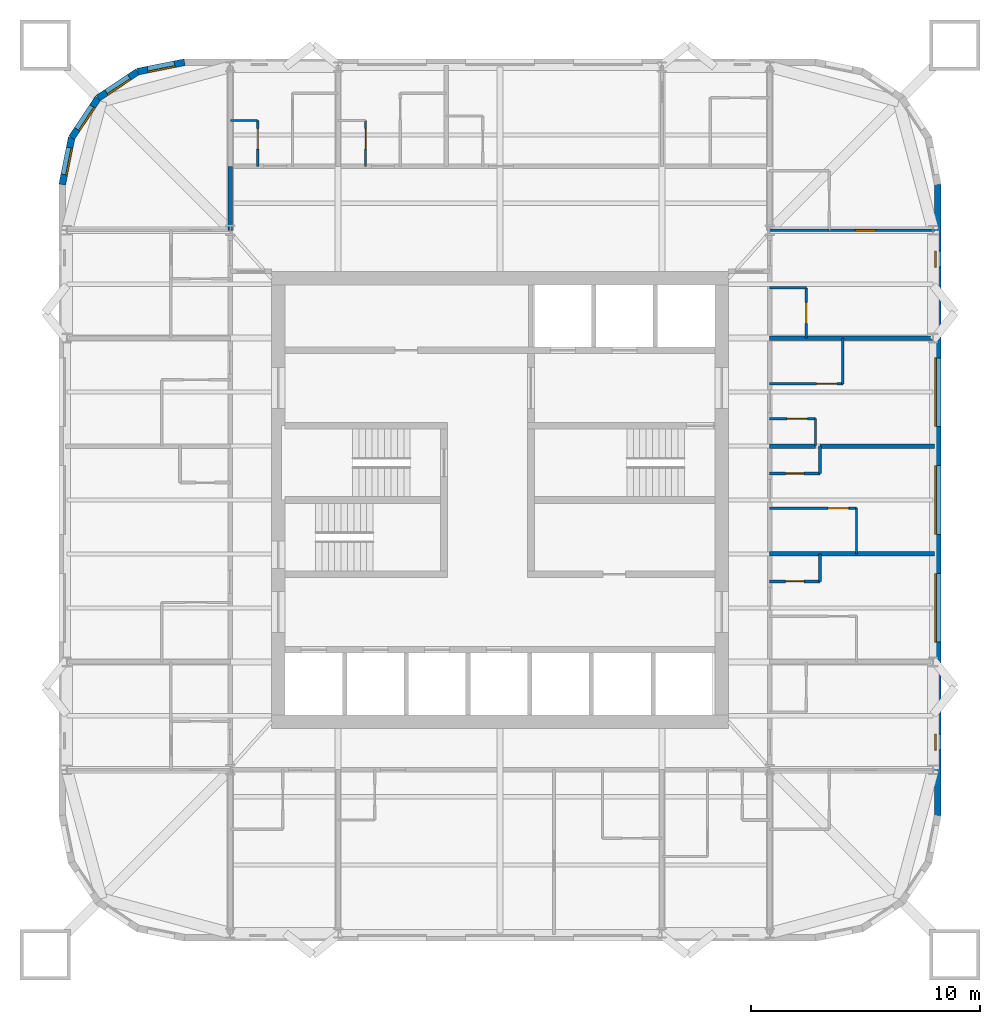
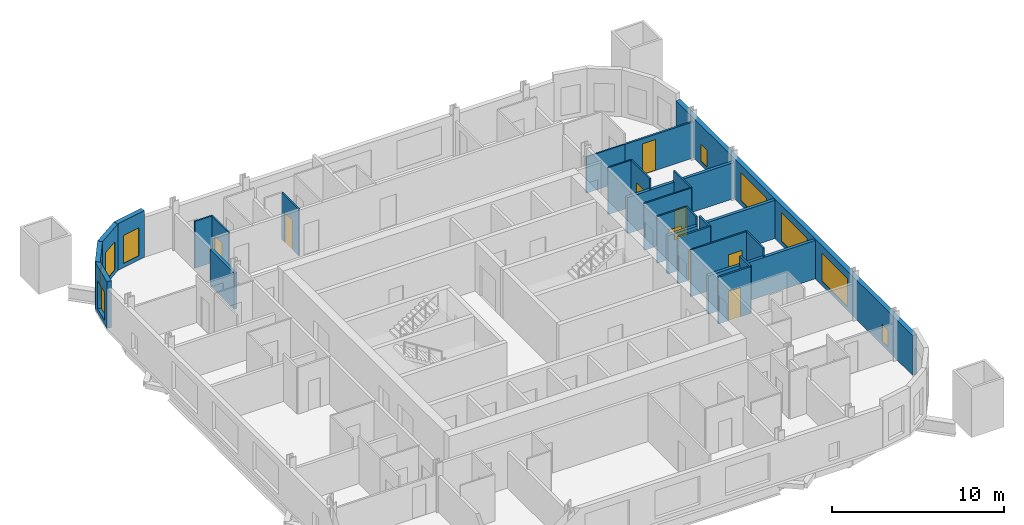
# One storey, part 6 of 9: 27 walls, 9 doors, 9 windows, 18 openings.
"""IFC4 building model written with IfcOpenShell, lengths in metres."""

from ifc_helpers import new_model, si_unit, direction, frame, frame_2d, origin, place, context, subcontext, project, spatial, rectangle, extrude, material, layer, layer_set, type_object, element, fill, save


model = new_model("IFC4")

# Units and contexts
model_context = context("Model", 3, precision=1e-05, world=origin(), true_north=direction((0.0, 1.0)))
body_context = subcontext(model_context, "Body", "Model", "MODEL_VIEW")
ifc_project = project(units=[si_unit("LENGTHUNIT", "METRE"), si_unit("AREAUNIT", "SQUARE_METRE"), si_unit("VOLUMEUNIT", "CUBIC_METRE"), si_unit("PLANEANGLEUNIT", "RADIAN"), si_unit("MASSUNIT", "GRAM", prefix="KILO")], contexts=[model_context])

# Site, building, storey
site_placement = place(None, origin())
site = spatial("IfcSite", under=ifc_project, at=site_placement, CompositionType="ELEMENT")
building_placement = place(site_placement, origin())
building = spatial("IfcBuilding", under=site, at=building_placement, Name="Turquesa Mirador Hotel Tower", CompositionType="ELEMENT")
storey_placement = place(building_placement, frame((0.0, 0.0, 203.800048828125)))
storey = spatial("IfcBuildingStorey", under=building, at=storey_placement, Name="L55", CompositionType="ELEMENT", Elevation=203.800048828125)

# Wall, opening, door
ifc_material_1 = material(Name="Gypsum board on steel studs", Category="steel")
ifc_layer_1 = layer(ifc_material_1, 0.10009765625)
ifc_layer_set_1 = layer_set([ifc_layer_1], Name="BATHROOM WALL 100")
wall_type_1 = type_object("IfcWallType", Name="BATHROOM WALL 100", PredefinedType="PARTITIONING", material=ifc_layer_set_1)
wall_1_placement = place(storey_placement, frame((66.800048828125, 44.639892578125, 0.0), z_axis=(0.0, 0.0, 1.0), x_axis=(1.0, 0.0, 0.0)))
wall_1 = element("IfcWall", 1, at=wall_1_placement, inside=storey, type_object=wall_type_1, Name="Partition L55 001", PredefinedType="PARTITIONING", context=body_context, shape_type="SweptSolid", body=[
    extrude(rectangle(XDim=3.800048828125, YDim=0.10009765625, at=frame_2d((1.89990234375, 0.0))), origin(), (0.0, 0.0, 1.0), 3.329833984375),
])
opening_1_placement = place(wall_1_placement, frame((2.550048828125, 0.0, 0.0)))
opening_1 = element("IfcOpeningElement", 2, at=opening_1_placement, cuts=wall_1, Name="Opening D02", PredefinedType="OPENING", context=body_context, shape_type="SweptSolid", body=[
    extrude(rectangle(XDim=0.89990234375, YDim=2.10009765625, at=frame_2d((0.449951171875, 1.050048828125))), frame((0.0, 0.06005859375, 0.0), z_axis=(0.0, -1.0, 0.0), x_axis=(1.0, 0.0, 0.0)), (0.0, 0.0, 1.0), 0.1201171875),
])
ifc_material_2 = material(Name="Timber veneered door", Category="wood")
door_type_1 = type_object("IfcDoorType", Name="DOOR 900X2100 EN-SUITE", OperationType="SINGLE_SWING_RIGHT", PredefinedType="DOOR", material=ifc_material_2)
door_1_placement = place(opening_1_placement, origin())
door_1 = element("IfcDoor", 3, at=door_1_placement, inside=storey, type_object=door_type_1, Name="Door 5508B", OperationType="SINGLE_SWING_RIGHT", OverallHeight=2.10009765625, OverallWidth=0.89990234375, PredefinedType="DOOR", context=body_context, shape_type="SweptSolid", body=[
    extrude(rectangle(XDim=0.89990234375, YDim=2.10009765625, at=frame_2d((0.449951171875, 1.050048828125))), frame((0.0, 0.02490234375, 0.0), z_axis=(0.0, -1.0, 0.0), x_axis=(1.0, 0.0, 0.0)), (0.0, 0.0, 1.0), 0.050048828125),
])
fill(opening_1, door_1)

# Walls
wall_2_placement = place(storey_placement, frame((66.800048828125, 56.800048828125, 0.0), z_axis=(0.0, 0.0, 1.0), x_axis=(1.0, 0.0, 0.0)))
element("IfcWall", 4, at=wall_2_placement, inside=storey, type_object=wall_type_1, Name="Partition L55 024", PredefinedType="PARTITIONING", context=body_context, shape_type="SweptSolid", body=[
    extrude(rectangle(XDim=2.599853515625, YDim=0.10009765625, at=frame_2d((1.2998046875, 0.0))), origin(), (0.0, 0.0, 1.0), 2.572998046875),
])
wall_3_placement = place(storey_placement, frame((43.199951171875, 61.60009765625, 0.0), z_axis=(0.0, 0.0, 1.0), x_axis=(1.0, 0.0, 0.0)))
element("IfcWall", 5, at=wall_3_placement, inside=storey, type_object=wall_type_1, Name="Partition L55 029", PredefinedType="PARTITIONING", context=body_context, shape_type="SweptSolid", body=[
    extrude(rectangle(XDim=1.199951171875, YDim=0.10009765625, at=frame_2d((0.60009765625, 0.0))), origin(), (0.0, 0.0, 1.0), 3.329833984375),
])

# Wall, opening, door
wall_4_placement = place(storey_placement, frame((66.800048828125, 48.56005859375, 0.0), z_axis=(0.0, 0.0, 1.0), x_axis=(1.0, 0.0, 0.0)))
wall_4 = element("IfcWall", 6, at=wall_4_placement, inside=storey, type_object=wall_type_1, Name="Partition L55 038", PredefinedType="PARTITIONING", context=body_context, shape_type="SweptSolid", body=[
    extrude(rectangle(XDim=2.0, YDim=0.10009765625, at=frame_2d((1.0, 0.0))), origin(), (0.0, 0.0, 1.0), 3.329833984375),
])
opening_2_placement = place(wall_4_placement, frame((0.75, 0.0, 0.0)))
opening_2 = element("IfcOpeningElement", 7, at=opening_2_placement, cuts=wall_4, Name="Opening D06", PredefinedType="OPENING", context=body_context, shape_type="SweptSolid", body=[
    extrude(rectangle(XDim=0.89990234375, YDim=2.10009765625, at=frame_2d((0.449951171875, 1.050048828125))), frame((0.0, 0.06005859375, 0.0), z_axis=(0.0, -1.0, 0.0), x_axis=(1.0, 0.0, 0.0)), (0.0, 0.0, 1.0), 0.1201171875),
])
ifc_material_3 = material(Name="Laminate door", Category="wood")
door_type_2 = type_object("IfcDoorType", Name="DOOR 900X2100 WC", OperationType="SINGLE_SWING_LEFT", PredefinedType="DOOR", material=ifc_material_3)
door_2_placement = place(opening_2_placement, origin())
door_2 = element("IfcDoor", 8, at=door_2_placement, inside=storey, type_object=door_type_2, Name="Door 5509W", OperationType="SINGLE_SWING_LEFT", OverallHeight=2.10009765625, OverallWidth=0.89990234375, PredefinedType="DOOR", context=body_context, shape_type="SweptSolid", body=[
    extrude(rectangle(XDim=0.89990234375, YDim=2.10009765625, at=frame_2d((0.449951171875, 1.050048828125))), frame((0.0, 0.02490234375, 0.0), z_axis=(0.0, -1.0, 0.0), x_axis=(1.0, 0.0, 0.0)), (0.0, 0.0, 1.0), 0.050048828125),
])
fill(opening_2, door_2)

wall_5_placement = place(storey_placement, frame((66.800048828125, 50.080078125, 0.0), z_axis=(0.0, 0.0, 1.0), x_axis=(1.0, 0.0, 0.0)))
wall_5 = element("IfcWall", 9, at=wall_5_placement, inside=storey, type_object=wall_type_1, Name="Partition L55 039", PredefinedType="PARTITIONING", context=body_context, shape_type="SweptSolid", body=[
    extrude(rectangle(XDim=3.199951171875, YDim=0.10009765625, at=frame_2d((1.60009765625, 0.0))), origin(), (0.0, 0.0, 1.0), 3.329833984375),
])
opening_3_placement = place(wall_5_placement, frame((2.050048828125, 0.0, 0.0)))
opening_3 = element("IfcOpeningElement", 10, at=opening_3_placement, cuts=wall_5, Name="Opening D02", PredefinedType="OPENING", context=body_context, shape_type="SweptSolid", body=[
    extrude(rectangle(XDim=0.89990234375, YDim=2.10009765625, at=frame_2d((0.449951171875, 1.050048828125))), frame((0.0, 0.06005859375, 0.0), z_axis=(0.0, -1.0, 0.0), x_axis=(1.0, 0.0, 0.0)), (0.0, 0.0, 1.0), 0.1201171875),
])
door_3_placement = place(opening_3_placement, origin())
door_3 = element("IfcDoor", 11, at=door_3_placement, inside=storey, type_object=door_type_1, Name="Door 5509B", OperationType="SINGLE_SWING_RIGHT", OverallHeight=2.10009765625, OverallWidth=0.89990234375, PredefinedType="DOOR", context=body_context, shape_type="SweptSolid", body=[
    extrude(rectangle(XDim=0.89990234375, YDim=2.10009765625, at=frame_2d((0.449951171875, 1.050048828125))), frame((0.0, 0.02490234375, 0.0), z_axis=(0.0, -1.0, 0.0), x_axis=(1.0, 0.0, 0.0)), (0.0, 0.0, 1.0), 0.050048828125),
])
fill(opening_3, door_3)

# Wall
wall_6_placement = place(storey_placement, frame((66.800048828125, 54.280029296875, 0.0), z_axis=(0.0, 0.0, 1.0), x_axis=(1.0, 0.0, 0.0)))
element("IfcWall", 12, at=wall_6_placement, inside=storey, type_object=wall_type_1, Name="Partition L55 043", PredefinedType="PARTITIONING", context=body_context, shape_type="SweptSolid", body=[
    extrude(rectangle(XDim=1.599853515625, YDim=0.10009765625, at=frame_2d((0.7998046875, 0.0))), origin(), (0.0, 0.0, 1.0), 3.329833984375),
])

# Wall, opening, door
wall_7_placement = place(storey_placement, frame((44.39990234375, 59.60009765625, 0.0), z_axis=(0.0, 0.0, 1.0), x_axis=(0.0, 1.0, 0.0)))
wall_7 = element("IfcWall", 13, at=wall_7_placement, inside=storey, type_object=wall_type_1, Name="Partition L55 046", PredefinedType="PARTITIONING", context=body_context, shape_type="SweptSolid", body=[
    extrude(rectangle(XDim=2.0, YDim=0.10009765625, at=frame_2d((1.0, 0.0))), origin(), (0.0, 0.0, 1.0), 3.329833984375),
])
opening_4_placement = place(wall_7_placement, frame((0.75, 0.0, 0.0)))
opening_4 = element("IfcOpeningElement", 14, at=opening_4_placement, cuts=wall_7, Name="Opening D06", PredefinedType="OPENING", context=body_context, shape_type="SweptSolid", body=[
    extrude(rectangle(XDim=0.89990234375, YDim=2.10009765625, at=frame_2d((0.449951171875, 1.050048828125))), frame((0.0, 0.06005859375, 0.0), z_axis=(0.0, -1.0, 0.0), x_axis=(1.0, 0.0, 0.0)), (0.0, 0.0, 1.0), 0.1201171875),
])
door_4_placement = place(opening_4_placement, origin())
door_4 = element("IfcDoor", 15, at=door_4_placement, inside=storey, type_object=door_type_2, Name="Door 5501W", OperationType="SINGLE_SWING_LEFT", OverallHeight=2.10009765625, OverallWidth=0.89990234375, PredefinedType="DOOR", context=body_context, shape_type="SweptSolid", body=[
    extrude(rectangle(XDim=0.89990234375, YDim=2.10009765625, at=frame_2d((0.449951171875, 1.050048828125))), frame((0.0, 0.02490234375, 0.0), z_axis=(0.0, -1.0, 0.0), x_axis=(1.0, 0.0, 0.0)), (0.0, 0.0, 1.0), 0.050048828125),
])
fill(opening_4, door_4)

wall_8_placement = place(storey_placement, frame((49.1201171875, 59.60009765625, 0.0), z_axis=(0.0, 0.0, 1.0), x_axis=(0.0, 1.0, 0.0)))
wall_8 = element("IfcWall", 16, at=wall_8_placement, inside=storey, type_object=wall_type_1, Name="Partition L55 060", PredefinedType="PARTITIONING", context=body_context, shape_type="SweptSolid", body=[
    extrude(rectangle(XDim=2.0, YDim=0.10009765625, at=frame_2d((1.0, 0.0))), origin(), (0.0, 0.0, 1.0), 3.329833984375),
])
opening_5_placement = place(wall_8_placement, frame((0.75, 0.0, 0.0)))
opening_5 = element("IfcOpeningElement", 17, at=opening_5_placement, cuts=wall_8, Name="Opening D06", PredefinedType="OPENING", context=body_context, shape_type="SweptSolid", body=[
    extrude(rectangle(XDim=0.89990234375, YDim=2.10009765625, at=frame_2d((0.449951171875, 1.050048828125))), frame((0.0, 0.06005859375, 0.0), z_axis=(0.0, -1.0, 0.0), x_axis=(1.0, 0.0, 0.0)), (0.0, 0.0, 1.0), 0.1201171875),
])
door_5_placement = place(opening_5_placement, origin())
door_5 = element("IfcDoor", 18, at=door_5_placement, inside=storey, type_object=door_type_2, Name="Door 5502W", OperationType="SINGLE_SWING_LEFT", OverallHeight=2.10009765625, OverallWidth=0.89990234375, PredefinedType="DOOR", context=body_context, shape_type="SweptSolid", body=[
    extrude(rectangle(XDim=0.89990234375, YDim=2.10009765625, at=frame_2d((0.449951171875, 1.050048828125))), frame((0.0, 0.02490234375, 0.0), z_axis=(0.0, -1.0, 0.0), x_axis=(1.0, 0.0, 0.0)), (0.0, 0.0, 1.0), 0.050048828125),
])
fill(opening_5, door_5)

wall_9_placement = place(storey_placement, frame((68.39990234375, 52.080078125, 0.0), z_axis=(0.0, 0.0, 1.0), x_axis=(0.0, 1.0, 0.0)))
wall_9 = element("IfcWall", 19, at=wall_9_placement, inside=storey, type_object=wall_type_1, Name="Partition L55 070", PredefinedType="PARTITIONING", context=body_context, shape_type="SweptSolid", body=[
    extrude(rectangle(XDim=2.199951171875, YDim=0.10009765625, at=frame_2d((1.10009765625, 0.0))), origin(), (0.0, 0.0, 1.0), 3.329833984375),
])
opening_6_placement = place(wall_9_placement, frame((0.64990234375, 0.0, 0.0)))
opening_6 = element("IfcOpeningElement", 20, at=opening_6_placement, cuts=wall_9, Name="Opening D06", PredefinedType="OPENING", context=body_context, shape_type="SweptSolid", body=[
    extrude(rectangle(XDim=0.89990234375, YDim=2.10009765625, at=frame_2d((0.449951171875, 1.050048828125))), frame((0.0, 0.06005859375, 0.0), z_axis=(0.0, -1.0, 0.0), x_axis=(1.0, 0.0, 0.0)), (0.0, 0.0, 1.0), 0.1201171875),
])
door_6_placement = place(opening_6_placement, origin())
door_6 = element("IfcDoor", 21, at=door_6_placement, inside=storey, type_object=door_type_2, Name="Door 5512W", OperationType="SINGLE_SWING_LEFT", OverallHeight=2.10009765625, OverallWidth=0.89990234375, PredefinedType="DOOR", context=body_context, shape_type="SweptSolid", body=[
    extrude(rectangle(XDim=0.89990234375, YDim=2.10009765625, at=frame_2d((0.449951171875, 1.050048828125))), frame((0.0, 0.02490234375, 0.0), z_axis=(0.0, -1.0, 0.0), x_axis=(1.0, 0.0, 0.0)), (0.0, 0.0, 1.0), 0.050048828125),
])
fill(opening_6, door_6)

# Walls
wall_10_placement = place(storey_placement, frame((68.800048828125, 47.360107421875, 0.0), z_axis=(0.0, 0.0, 1.0), x_axis=(0.0, 1.0, 0.0)))
element("IfcWall", 22, at=wall_10_placement, inside=storey, type_object=wall_type_1, Name="Partition L55 071", PredefinedType="PARTITIONING", context=body_context, shape_type="SweptSolid", body=[
    extrude(rectangle(XDim=1.199951171875, YDim=0.10009765625, at=frame_2d((0.60009765625, 0.0))), origin(), (0.0, 0.0, 1.0), 3.329833984375),
])
for number, where, z_axis, x_axis, name in (
    (23, (70.0, 50.080078125, 0.0), (0.0, 0.0, 1.0), (0.0, 1.0, 0.0), "Partition L55 076"),
    (24, (70.60009765625, 42.639892578125, 0.0), (0.0, 0.0, 1.0), (0.0, 1.0, 0.0), "Partition L55 078"),
):
    element("IfcWall", number, at=place(storey_placement, frame(where, z_axis=z_axis, x_axis=x_axis)), inside=storey, type_object=wall_type_1, Name=name, PredefinedType="PARTITIONING", context=body_context, shape_type="SweptSolid", body=[
        extrude(rectangle(XDim=2.0, YDim=0.10009765625, at=frame_2d((1.0, 0.0))), origin(), (0.0, 0.0, 1.0), 3.329833984375),
    ])
ifc_material_4 = material(Name="Fire-rated gypsum board on steel studs", Category="steel")
ifc_layer_2 = layer(ifc_material_4, 0.199951171875)
ifc_layer_set_2 = layer_set([ifc_layer_2], Name="CORRIDOR WALL 200")
wall_type_2 = type_object("IfcWallType", Name="CORRIDOR WALL 200", PredefinedType="PARTITIONING", material=ifc_layer_set_2)
wall_11_placement = place(storey_placement, frame((43.199951171875, 56.780029296875, 0.0), z_axis=(0.0, 0.0, 1.0), x_axis=(0.0, 1.0, 0.0)))
element("IfcWall", 25, at=wall_11_placement, inside=storey, type_object=wall_type_2, Name="Partition L55 085", PredefinedType="PARTITIONING", context=body_context, shape_type="SweptSolid", body=[
    extrude(rectangle(XDim=2.820068359375, YDim=0.199951171875, at=frame_2d((1.41015625, 0.0))), origin(), (0.0, 0.0, 1.0), 2.572998046875),
])

# Wall, openings, windows
ifc_material_5 = material(Name="Limestone cladding on concrete block", Category="masonry")
ifc_layer_3 = layer(ifc_material_5, 0.300048828125)
ifc_layer_set_3 = layer_set([ifc_layer_3], Name="FACADE WALL 300 STONE SCREEN")
wall_type_3 = type_object("IfcWallType", Name="FACADE WALL 300 STONE SCREEN", PredefinedType="SOLIDWALL", material=ifc_layer_set_3)
wall_12_placement = place(storey_placement, frame((74.14990234375, 31.199951171875, 0.0), z_axis=(0.0, 0.0, 1.0), x_axis=(0.0, 1.0, 0.0)))
wall_12 = element("IfcWall", 26, at=wall_12_placement, inside=storey, type_object=wall_type_3, Name="Facade wall L55 04", PredefinedType="SOLIDWALL", context=body_context, shape_type="SweptSolid", body=[
    extrude(rectangle(XDim=27.60009765625, YDim=0.300048828125, at=frame_2d((13.800048828125, 0.0))), origin(), (0.0, 0.0, 1.0), 2.829833984375),
])
opening_7_placement = place(wall_12_placement, frame((2.860107421875, 0.0, 0.300048828125)))
opening_7 = element("IfcOpeningElement", 27, at=opening_7_placement, cuts=wall_12, Name="Opening WN34", PredefinedType="OPENING", context=body_context, shape_type="SweptSolid", body=[
    extrude(rectangle(XDim=0.699951171875, YDim=1.199951171875, at=frame_2d((0.35009765625, 0.60009765625))), frame((0.0, 0.159912109375, 0.0), z_axis=(0.0, -1.0, 0.0), x_axis=(1.0, 0.0, 0.0)), (0.0, 0.0, 1.0), 0.320068359375),
])
opening_8_placement = place(wall_12_placement, frame((7.580078125, 0.0, 0.300048828125)))
opening_8 = element("IfcOpeningElement", 28, at=opening_8_placement, cuts=wall_12, Name="Opening WN1", PredefinedType="OPENING", context=body_context, shape_type="SweptSolid", body=[
    extrude(rectangle(XDim=3.0, YDim=2.0, at=frame_2d((1.5, 1.0))), frame((0.0, 0.159912109375, 0.0), z_axis=(0.0, -1.0, 0.0), x_axis=(1.0, 0.0, 0.0)), (0.0, 0.0, 1.0), 0.320068359375),
])
opening_9_placement = place(wall_12_placement, frame((12.300048828125, 0.0, 0.300048828125)))
opening_9 = element("IfcOpeningElement", 29, at=opening_9_placement, cuts=wall_12, Name="Opening WN1", PredefinedType="OPENING", context=body_context, shape_type="SweptSolid", body=[
    extrude(rectangle(XDim=3.0, YDim=2.0, at=frame_2d((1.5, 1.0))), frame((0.0, 0.159912109375, 0.0), z_axis=(0.0, -1.0, 0.0), x_axis=(1.0, 0.0, 0.0)), (0.0, 0.0, 1.0), 0.320068359375),
])
opening_10_placement = place(wall_12_placement, frame((17.02001953125, 0.0, 0.300048828125)))
opening_10 = element("IfcOpeningElement", 30, at=opening_10_placement, cuts=wall_12, Name="Opening WN1", PredefinedType="OPENING", context=body_context, shape_type="SweptSolid", body=[
    extrude(rectangle(XDim=3.0, YDim=2.0, at=frame_2d((1.5, 1.0))), frame((0.0, 0.159912109375, 0.0), z_axis=(0.0, -1.0, 0.0), x_axis=(1.0, 0.0, 0.0)), (0.0, 0.0, 1.0), 0.320068359375),
])
opening_11_placement = place(wall_12_placement, frame((23.989990234375, 0.0, 0.300048828125)))
opening_11 = element("IfcOpeningElement", 31, at=opening_11_placement, cuts=wall_12, Name="Opening WN34", PredefinedType="OPENING", context=body_context, shape_type="SweptSolid", body=[
    extrude(rectangle(XDim=0.699951171875, YDim=1.199951171875, at=frame_2d((0.35009765625, 0.60009765625))), frame((0.0, 0.159912109375, 0.0), z_axis=(0.0, -1.0, 0.0), x_axis=(1.0, 0.0, 0.0)), (0.0, 0.0, 1.0), 0.320068359375),
])
ifc_material_6 = material(Name="Ceramic-fritted laminated glass", Category="glass")
window_type_1 = type_object("IfcWindowType", Name="FRITTED WINDOW 3000X2000", PartitioningType="DOUBLE_PANEL_HORIZONTAL", PredefinedType="WINDOW", material=ifc_material_6)
window_1_placement = place(opening_8_placement, origin())
window_1 = element("IfcWindow", 32, at=window_1_placement, inside=storey, type_object=window_type_1, Name="Window L55", OverallHeight=2.0, OverallWidth=3.0, PartitioningType="SINGLE_PANEL", PredefinedType="WINDOW", context=body_context, shape_type="SweptSolid", body=[
    extrude(rectangle(XDim=3.0, YDim=2.0, at=frame_2d((1.5, 1.0))), frame((0.0, 0.130126953125, 0.0), z_axis=(0.0, -1.0, 0.0), x_axis=(1.0, 0.0, 0.0)), (0.0, 0.0, 1.0), 0.06005859375),
])
fill(opening_8, window_1)
window_2_placement = place(opening_9_placement, origin())
window_2 = element("IfcWindow", 33, at=window_2_placement, inside=storey, type_object=window_type_1, Name="Window L55", OverallHeight=2.0, OverallWidth=3.0, PartitioningType="SINGLE_PANEL", PredefinedType="WINDOW", context=body_context, shape_type="SweptSolid", body=[
    extrude(rectangle(XDim=3.0, YDim=2.0, at=frame_2d((1.5, 1.0))), frame((0.0, 0.130126953125, 0.0), z_axis=(0.0, -1.0, 0.0), x_axis=(1.0, 0.0, 0.0)), (0.0, 0.0, 1.0), 0.06005859375),
])
fill(opening_9, window_2)
window_3_placement = place(opening_10_placement, origin())
window_3 = element("IfcWindow", 34, at=window_3_placement, inside=storey, type_object=window_type_1, Name="Window L55", OverallHeight=2.0, OverallWidth=3.0, PartitioningType="SINGLE_PANEL", PredefinedType="WINDOW", context=body_context, shape_type="SweptSolid", body=[
    extrude(rectangle(XDim=3.0, YDim=2.0, at=frame_2d((1.5, 1.0))), frame((0.0, 0.130126953125, 0.0), z_axis=(0.0, -1.0, 0.0), x_axis=(1.0, 0.0, 0.0)), (0.0, 0.0, 1.0), 0.06005859375),
])
fill(opening_10, window_3)
ifc_material_7 = material(Name="Ceramic-fritted laminated glass", Category="glass")
window_type_2 = type_object("IfcWindowType", Name="FRITTED WINDOW 700X1200", PartitioningType="DOUBLE_PANEL_HORIZONTAL", PredefinedType="WINDOW", material=ifc_material_7)
window_4_placement = place(opening_7_placement, origin())
window_4 = element("IfcWindow", 35, at=window_4_placement, inside=storey, type_object=window_type_2, Name="Window L55", OverallHeight=1.199951171875, OverallWidth=0.699951171875, PartitioningType="SINGLE_PANEL", PredefinedType="WINDOW", context=body_context, shape_type="SweptSolid", body=[
    extrude(rectangle(XDim=0.699951171875, YDim=1.199951171875, at=frame_2d((0.35009765625, 0.60009765625))), frame((0.0, 0.130126953125, 0.0), z_axis=(0.0, -1.0, 0.0), x_axis=(1.0, 0.0, 0.0)), (0.0, 0.0, 1.0), 0.06005859375),
])
fill(opening_7, window_4)
window_5_placement = place(opening_11_placement, origin())
window_5 = element("IfcWindow", 36, at=window_5_placement, inside=storey, type_object=window_type_2, Name="Window L55", OverallHeight=1.199951171875, OverallWidth=0.699951171875, PartitioningType="SINGLE_PANEL", PredefinedType="WINDOW", context=body_context, shape_type="SweptSolid", body=[
    extrude(rectangle(XDim=0.699951171875, YDim=1.199951171875, at=frame_2d((0.35009765625, 0.60009765625))), frame((0.0, 0.130126953125, 0.0), z_axis=(0.0, -1.0, 0.0), x_axis=(1.0, 0.0, 0.0)), (0.0, 0.0, 1.0), 0.06005859375),
])
fill(opening_11, window_5)

# Wall, opening, window
wall_13_placement = place(storey_placement, frame((41.199951171875, 64.14990234375, 0.0), z_axis=(0.0, 0.0, 1.0), x_axis=(-0.980787050784, -0.195081421501, 0.0)))
wall_13 = element("IfcWall", 37, at=wall_13_placement, inside=storey, type_object=wall_type_3, Name="Facade wall L55 10", PredefinedType="SOLIDWALL", context=body_context, shape_type="SweptSolid", body=[
    extrude(rectangle(XDim=2.08740234375, YDim=0.300048828125, at=frame_2d((1.043701171875, 0.0))), origin(), (0.0, 0.0, 1.0), 3.329833984375),
])
opening_12_placement = place(wall_13_placement, frame((0.443603515625, 0.0, 0.300048828125)))
opening_12 = element("IfcOpeningElement", 38, at=opening_12_placement, cuts=wall_13, Name="Opening WN4", PredefinedType="OPENING", context=body_context, shape_type="SweptSolid", body=[
    extrude(rectangle(XDim=1.199951171875, YDim=2.0, at=frame_2d((0.60009765625, 1.0))), frame((0.0, 0.159912109375, 0.0), z_axis=(0.0, -1.0, 0.0), x_axis=(1.0, 0.0, 0.0)), (0.0, 0.0, 1.0), 0.320068359375),
])
ifc_material_8 = material(Name="Ceramic-fritted laminated glass", Category="glass")
window_type_3 = type_object("IfcWindowType", Name="FRITTED CORNER WINDOW 1200X2000", PartitioningType="DOUBLE_PANEL_HORIZONTAL", PredefinedType="WINDOW", material=ifc_material_8)
window_6_placement = place(opening_12_placement, origin())
window_6 = element("IfcWindow", 39, at=window_6_placement, inside=storey, type_object=window_type_3, Name="Window L55", OverallHeight=2.0, OverallWidth=1.199951171875, PartitioningType="SINGLE_PANEL", PredefinedType="WINDOW", context=body_context, shape_type="SweptSolid", body=[
    extrude(rectangle(XDim=1.199951171875, YDim=2.0, at=frame_2d((0.60009765625, 1.0))), frame((0.0, 0.130126953125, 0.0), z_axis=(0.0, -1.0, 0.0), x_axis=(1.0, 0.0, 0.0)), (0.0, 0.0, 1.0), 0.06005859375),
])
fill(opening_12, window_6)

wall_14_placement = place(storey_placement, frame((39.152587890625, 63.74267578125, 0.0), z_axis=(0.0, 0.0, 1.0), x_axis=(-0.831474039234, -0.555563607591, 0.0)))
wall_14 = element("IfcWall", 40, at=wall_14_placement, inside=storey, type_object=wall_type_3, Name="Facade wall L55 11", PredefinedType="SOLIDWALL", context=body_context, shape_type="SweptSolid", body=[
    extrude(rectangle(XDim=2.08740234375, YDim=0.300048828125, at=frame_2d((1.043701171875, 0.0))), origin(), (0.0, 0.0, 1.0), 3.329833984375),
])
opening_13_placement = place(wall_14_placement, frame((0.443603515625, 0.0, 0.300048828125)))
opening_13 = element("IfcOpeningElement", 41, at=opening_13_placement, cuts=wall_14, Name="Opening WN4", PredefinedType="OPENING", context=body_context, shape_type="SweptSolid", body=[
    extrude(rectangle(XDim=1.199951171875, YDim=2.0, at=frame_2d((0.60009765625, 1.0))), frame((0.0, 0.159912109375, 0.0), z_axis=(0.0, -1.0, 0.0), x_axis=(1.0, 0.0, 0.0)), (0.0, 0.0, 1.0), 0.320068359375),
])
window_7_placement = place(opening_13_placement, origin())
window_7 = element("IfcWindow", 42, at=window_7_placement, inside=storey, type_object=window_type_3, Name="Window L55", OverallHeight=2.0, OverallWidth=1.199951171875, PartitioningType="SINGLE_PANEL", PredefinedType="WINDOW", context=body_context, shape_type="SweptSolid", body=[
    extrude(rectangle(XDim=1.199951171875, YDim=2.0, at=frame_2d((0.60009765625, 1.0))), frame((0.0, 0.130126953125, 0.0), z_axis=(0.0, -1.0, 0.0), x_axis=(1.0, 0.0, 0.0)), (0.0, 0.0, 1.0), 0.06005859375),
])
fill(opening_13, window_7)

wall_15_placement = place(storey_placement, frame((37.4169921875, 62.5830078125, 0.0), z_axis=(0.0, 0.0, 1.0), x_axis=(-0.555563607591, -0.831474039234, 0.0)))
wall_15 = element("IfcWall", 43, at=wall_15_placement, inside=storey, type_object=wall_type_3, Name="Facade wall L55 12", PredefinedType="SOLIDWALL", context=body_context, shape_type="SweptSolid", body=[
    extrude(rectangle(XDim=2.08740234375, YDim=0.300048828125, at=frame_2d((1.043701171875, 0.0))), origin(), (0.0, 0.0, 1.0), 3.329833984375),
])
opening_14_placement = place(wall_15_placement, frame((0.443603515625, 0.0, 0.300048828125)))
opening_14 = element("IfcOpeningElement", 44, at=opening_14_placement, cuts=wall_15, Name="Opening WN4", PredefinedType="OPENING", context=body_context, shape_type="SweptSolid", body=[
    extrude(rectangle(XDim=1.199951171875, YDim=2.0, at=frame_2d((0.60009765625, 1.0))), frame((0.0, 0.159912109375, 0.0), z_axis=(0.0, -1.0, 0.0), x_axis=(1.0, 0.0, 0.0)), (0.0, 0.0, 1.0), 0.320068359375),
])
window_8_placement = place(opening_14_placement, origin())
window_8 = element("IfcWindow", 45, at=window_8_placement, inside=storey, type_object=window_type_3, Name="Window L55", OverallHeight=2.0, OverallWidth=1.199951171875, PartitioningType="SINGLE_PANEL", PredefinedType="WINDOW", context=body_context, shape_type="SweptSolid", body=[
    extrude(rectangle(XDim=1.199951171875, YDim=2.0, at=frame_2d((0.60009765625, 1.0))), frame((0.0, 0.130126953125, 0.0), z_axis=(0.0, -1.0, 0.0), x_axis=(1.0, 0.0, 0.0)), (0.0, 0.0, 1.0), 0.06005859375),
])
fill(opening_14, window_8)

wall_16_placement = place(storey_placement, frame((36.25732421875, 60.847412109375, 0.0), z_axis=(0.0, 0.0, 1.0), x_axis=(-0.195081421501, -0.980787050784, 0.0)))
wall_16 = element("IfcWall", 46, at=wall_16_placement, inside=storey, type_object=wall_type_3, Name="Facade wall L55 13", PredefinedType="SOLIDWALL", context=body_context, shape_type="SweptSolid", body=[
    extrude(rectangle(XDim=2.08740234375, YDim=0.300048828125, at=frame_2d((1.043701171875, 0.0))), origin(), (0.0, 0.0, 1.0), 3.329833984375),
])
opening_15_placement = place(wall_16_placement, frame((0.443603515625, 0.0, 0.300048828125)))
opening_15 = element("IfcOpeningElement", 47, at=opening_15_placement, cuts=wall_16, Name="Opening WN4", PredefinedType="OPENING", context=body_context, shape_type="SweptSolid", body=[
    extrude(rectangle(XDim=1.199951171875, YDim=2.0, at=frame_2d((0.60009765625, 1.0))), frame((0.0, 0.159912109375, 0.0), z_axis=(0.0, -1.0, 0.0), x_axis=(1.0, 0.0, 0.0)), (0.0, 0.0, 1.0), 0.320068359375),
])
window_9_placement = place(opening_15_placement, origin())
window_9 = element("IfcWindow", 48, at=window_9_placement, inside=storey, type_object=window_type_3, Name="Window L55", OverallHeight=2.0, OverallWidth=1.199951171875, PartitioningType="SINGLE_PANEL", PredefinedType="WINDOW", context=body_context, shape_type="SweptSolid", body=[
    extrude(rectangle(XDim=1.199951171875, YDim=2.0, at=frame_2d((0.60009765625, 1.0))), frame((0.0, 0.130126953125, 0.0), z_axis=(0.0, -1.0, 0.0), x_axis=(1.0, 0.0, 0.0)), (0.0, 0.0, 1.0), 0.06005859375),
])
fill(opening_15, window_9)

# Walls
ifc_material_9 = material(Name="Fire-rated gypsum board on steel studs", Category="steel")
ifc_layer_4 = layer(ifc_material_9, 0.199951171875)
ifc_layer_set_4 = layer_set([ifc_layer_4], Name="PARTY WALL 200")
wall_type_4 = type_object("IfcWallType", Name="PARTY WALL 200", PredefinedType="PARTITIONING", material=ifc_layer_set_4)
wall_17_placement = place(storey_placement, frame((66.800048828125, 42.639892578125, 0.0), z_axis=(0.0, 0.0, 1.0), x_axis=(1.0, 0.0, 0.0)))
element("IfcWall", 49, at=wall_17_placement, inside=storey, type_object=wall_type_4, Name="Partition L55 012", PredefinedType="PARTITIONING", context=body_context, shape_type="SweptSolid", body=[
    extrude(rectangle(XDim=7.199951171875, YDim=0.199951171875, at=frame_2d((3.60009765625, 0.0))), origin(), (0.0, 0.0, 1.0), 2.73046875),
])
wall_18_placement = place(storey_placement, frame((66.800048828125, 47.360107421875, 0.0), z_axis=(0.0, 0.0, 1.0), x_axis=(1.0, 0.0, 0.0)))
element("IfcWall", 50, at=wall_18_placement, inside=storey, type_object=wall_type_4, Name="Partition L55 036", PredefinedType="PARTITIONING", context=body_context, shape_type="SweptSolid", body=[
    extrude(rectangle(XDim=2.0, YDim=0.199951171875, at=frame_2d((1.0, 0.0))), origin(), (0.0, 0.0, 1.0), 2.73046875),
])
wall_19_placement = place(storey_placement, frame((69.0, 47.360107421875, 0.0), z_axis=(0.0, 0.0, 1.0), x_axis=(1.0, 0.0, 0.0)))
element("IfcWall", 51, at=wall_19_placement, inside=storey, type_object=wall_type_4, Name="Partition L55 037", PredefinedType="PARTITIONING", context=body_context, shape_type="SweptSolid", body=[
    extrude(rectangle(XDim=5.0, YDim=0.199951171875, at=frame_2d((2.5, 0.0))), origin(), (0.0, 0.0, 1.0), 2.73046875),
])
wall_20_placement = place(storey_placement, frame((66.800048828125, 52.080078125, 0.0), z_axis=(0.0, 0.0, 1.0), x_axis=(1.0, 0.0, 0.0)))
element("IfcWall", 52, at=wall_20_placement, inside=storey, type_object=wall_type_4, Name="Partition L55 042", PredefinedType="PARTITIONING", context=body_context, shape_type="SweptSolid", body=[
    extrude(rectangle(XDim=7.199951171875, YDim=0.199951171875, at=frame_2d((3.60009765625, 0.0))), origin(), (0.0, 0.0, 1.0), 2.572998046875),
])

# Wall, opening, door
ifc_material_10 = material(Name="Acoustic gypsum board on steel studs", Category="steel")
ifc_layer_5 = layer(ifc_material_10, 0.125)
ifc_layer_set_5 = layer_set([ifc_layer_5], Name="SUITE PARTITION 125")
wall_type_5 = type_object("IfcWallType", Name="SUITE PARTITION 125", PredefinedType="PARTITIONING", material=ifc_layer_set_5)
wall_21_placement = place(storey_placement, frame((66.800048828125, 41.43994140625, 0.0), z_axis=(0.0, 0.0, 1.0), x_axis=(1.0, 0.0, 0.0)))
wall_21 = element("IfcWall", 53, at=wall_21_placement, inside=storey, type_object=wall_type_5, Name="Partition L55 013", PredefinedType="PARTITIONING", context=body_context, shape_type="SweptSolid", body=[
    extrude(rectangle(XDim=2.199951171875, YDim=0.125, at=frame_2d((1.10009765625, 0.0))), origin(), (0.0, 0.0, 1.0), 3.329833984375),
])
opening_16_placement = place(wall_21_placement, frame((0.699951171875, 0.0, 0.0)))
opening_16 = element("IfcOpeningElement", 54, at=opening_16_placement, cuts=wall_21, Name="Opening D20", PredefinedType="OPENING", context=body_context, shape_type="SweptSolid", body=[
    extrude(rectangle(XDim=0.800048828125, YDim=2.10009765625, at=frame_2d((0.39990234375, 1.050048828125))), frame((0.0, 0.072509765625, 0.0), z_axis=(0.0, -1.0, 0.0), x_axis=(1.0, 0.0, 0.0)), (0.0, 0.0, 1.0), 0.14501953125),
])
ifc_material_11 = material(Name="Timber veneered sliding door", Category="wood")
door_type_3 = type_object("IfcDoorType", Name="DOOR 800X2100 WARDROBE", OperationType="SLIDING_TO_LEFT", PredefinedType="DOOR", material=ifc_material_11)
door_7_placement = place(opening_16_placement, origin())
door_7 = element("IfcDoor", 55, at=door_7_placement, inside=storey, type_object=door_type_3, Name="Door 5507W", OperationType="SLIDING_TO_LEFT", OverallHeight=2.10009765625, OverallWidth=0.800048828125, PredefinedType="DOOR", context=body_context, shape_type="SweptSolid", body=[
    extrude(rectangle(XDim=0.800048828125, YDim=2.10009765625, at=frame_2d((0.39990234375, 1.050048828125))), frame((0.0, 0.02490234375, 0.0), z_axis=(0.0, -1.0, 0.0), x_axis=(1.0, 0.0, 0.0)), (0.0, 0.0, 1.0), 0.050048828125),
])
fill(opening_16, door_7)

wall_22_placement = place(storey_placement, frame((66.800048828125, 46.159912109375, 0.0), z_axis=(0.0, 0.0, 1.0), x_axis=(1.0, 0.0, 0.0)))
wall_22 = element("IfcWall", 56, at=wall_22_placement, inside=storey, type_object=wall_type_5, Name="Partition L55 021", PredefinedType="PARTITIONING", context=body_context, shape_type="SweptSolid", body=[
    extrude(rectangle(XDim=2.199951171875, YDim=0.125, at=frame_2d((1.10009765625, 0.0))), origin(), (0.0, 0.0, 1.0), 3.329833984375),
])
opening_17_placement = place(wall_22_placement, frame((0.699951171875, 0.0, 0.0)))
opening_17 = element("IfcOpeningElement", 57, at=opening_17_placement, cuts=wall_22, Name="Opening D20", PredefinedType="OPENING", context=body_context, shape_type="SweptSolid", body=[
    extrude(rectangle(XDim=0.800048828125, YDim=2.10009765625, at=frame_2d((0.39990234375, 1.050048828125))), frame((0.0, 0.072509765625, 0.0), z_axis=(0.0, -1.0, 0.0), x_axis=(1.0, 0.0, 0.0)), (0.0, 0.0, 1.0), 0.14501953125),
])
door_8_placement = place(opening_17_placement, origin())
door_8 = element("IfcDoor", 58, at=door_8_placement, inside=storey, type_object=door_type_3, Name="Door 5508W", OperationType="SLIDING_TO_LEFT", OverallHeight=2.10009765625, OverallWidth=0.800048828125, PredefinedType="DOOR", context=body_context, shape_type="SweptSolid", body=[
    extrude(rectangle(XDim=0.800048828125, YDim=2.10009765625, at=frame_2d((0.39990234375, 1.050048828125))), frame((0.0, 0.02490234375, 0.0), z_axis=(0.0, -1.0, 0.0), x_axis=(1.0, 0.0, 0.0)), (0.0, 0.0, 1.0), 0.050048828125),
])
fill(opening_17, door_8)

wall_23_placement = place(storey_placement, frame((69.39990234375, 56.800048828125, 0.0), z_axis=(0.0, 0.0, 1.0), x_axis=(1.0, 0.0, 0.0)))
wall_23 = element("IfcWall", 59, at=wall_23_placement, inside=storey, type_object=wall_type_5, Name="Partition L55 026", PredefinedType="PARTITIONING", context=body_context, shape_type="SweptSolid", body=[
    extrude(rectangle(XDim=4.60009765625, YDim=0.125, at=frame_2d((2.300048828125, 0.0))), origin(), (0.0, 0.0, 1.0), 2.572998046875),
])
opening_18_placement = place(wall_23_placement, frame((1.14990234375, 0.0, 0.0)))
opening_18 = element("IfcOpeningElement", 60, at=opening_18_placement, cuts=wall_23, Name="Opening D17", PredefinedType="OPENING", context=body_context, shape_type="SweptSolid", body=[
    extrude(rectangle(XDim=0.89990234375, YDim=2.199951171875, at=frame_2d((0.449951171875, 1.10009765625))), frame((0.0, 0.072509765625, 0.0), z_axis=(0.0, -1.0, 0.0), x_axis=(1.0, 0.0, 0.0)), (0.0, 0.0, 1.0), 0.14501953125),
])
ifc_material_12 = material(Name="Timber veneered door", Category="wood")
door_type_4 = type_object("IfcDoorType", Name="DOOR 900X2200 SUITE INTERNAL", OperationType="SINGLE_SWING_LEFT", PredefinedType="DOOR", material=ifc_material_12)
door_9_placement = place(opening_18_placement, origin())
door_9 = element("IfcDoor", 61, at=door_9_placement, inside=storey, type_object=door_type_4, Name="Door 5512R", OperationType="SINGLE_SWING_LEFT", OverallHeight=2.199951171875, OverallWidth=0.89990234375, PredefinedType="DOOR", context=body_context, shape_type="SweptSolid", body=[
    extrude(rectangle(XDim=0.89990234375, YDim=2.199951171875, at=frame_2d((0.449951171875, 1.10009765625))), frame((0.0, 0.02490234375, 0.0), z_axis=(0.0, -1.0, 0.0), x_axis=(1.0, 0.0, 0.0)), (0.0, 0.0, 1.0), 0.050048828125),
])
fill(opening_18, door_9)

# Walls
wall_24_placement = place(storey_placement, frame((69.0, 41.43994140625, 0.0), z_axis=(0.0, 0.0, 1.0), x_axis=(0.0, 1.0, 0.0)))
element("IfcWall", 62, at=wall_24_placement, inside=storey, type_object=wall_type_5, Name="Partition L55 072", PredefinedType="PARTITIONING", context=body_context, shape_type="SweptSolid", body=[
    extrude(rectangle(XDim=1.199951171875, YDim=0.125, at=frame_2d((0.60009765625, 0.0))), origin(), (0.0, 0.0, 1.0), 3.329833984375),
])
wall_25_placement = place(storey_placement, frame((69.0, 46.159912109375, 0.0), z_axis=(0.0, 0.0, 1.0), x_axis=(0.0, 1.0, 0.0)))
element("IfcWall", 63, at=wall_25_placement, inside=storey, type_object=wall_type_5, Name="Partition L55 073", PredefinedType="PARTITIONING", context=body_context, shape_type="SweptSolid", body=[
    extrude(rectangle(XDim=1.2001953125, YDim=0.125, at=frame_2d((0.60009765625, 0.0))), origin(), (0.0, 0.0, 1.0), 3.329833984375),
])

save(model, "model.ifc")
